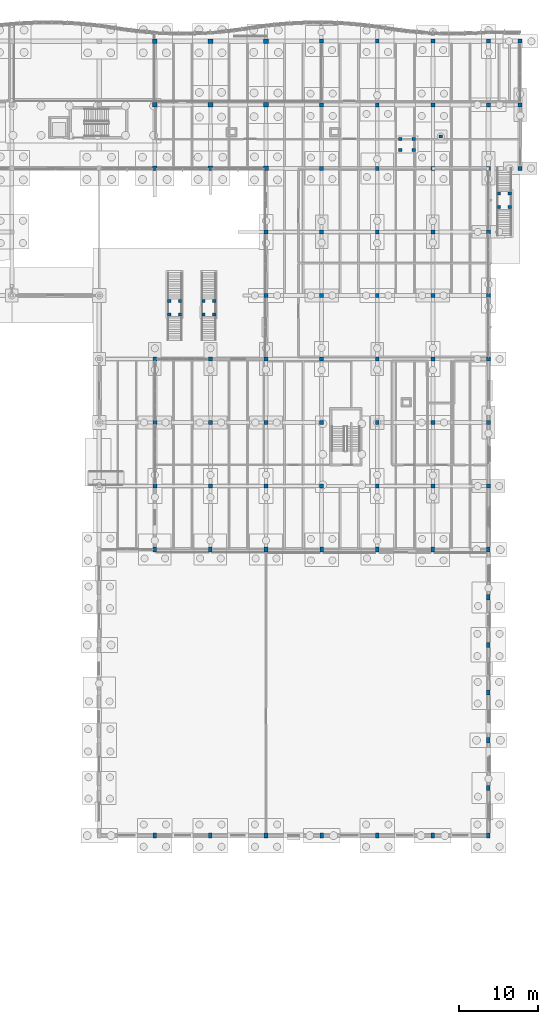
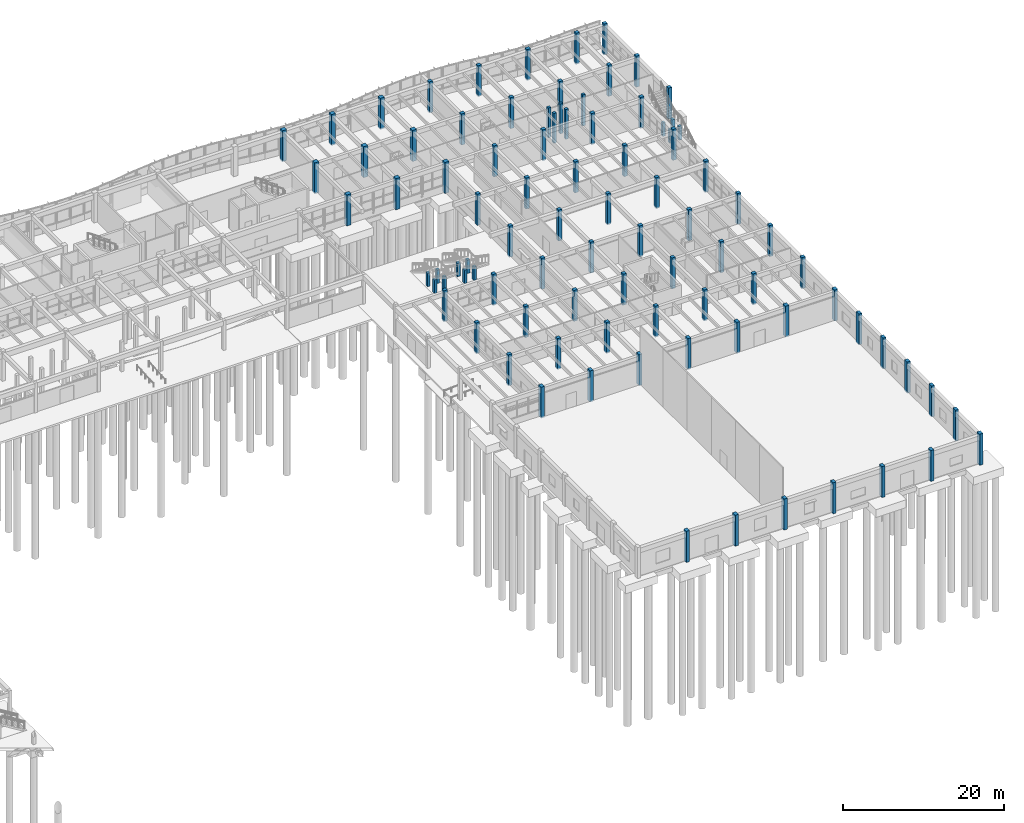
# One storey, part 12 of 99: 91 columns.
"""IFC4 building model written with IfcOpenShell, lengths in metres."""

from ifc_helpers import new_model, si_unit, direction, frame, origin, origin_2d, place, context, subcontext, project, spatial, rectangle, extrude, material, material_profile, profile_set, type_object, element, save


model = new_model("IFC4")

# Units and contexts
model_context = context("Model", 3, precision=1e-05, world=origin(), true_north=direction((0.0, 1.0)))
body_context = subcontext(model_context, "Body", "Model", "MODEL_VIEW")
ifc_project = project(units=[si_unit("LENGTHUNIT", "METRE"), si_unit("AREAUNIT", "SQUARE_METRE"), si_unit("VOLUMEUNIT", "CUBIC_METRE"), si_unit("PLANEANGLEUNIT", "RADIAN"), si_unit("MASSUNIT", "GRAM", prefix="KILO")], contexts=[model_context])

# Site, building, storey
site_placement = place(None, origin())
site = spatial("IfcSite", under=ifc_project, at=site_placement, CompositionType="ELEMENT")
building_placement = place(site_placement, origin())
building = spatial("IfcBuilding", under=site, at=building_placement, Name="Tonlespit Floodbar School", CompositionType="ELEMENT")
storey_placement = place(building_placement, origin())
storey = spatial("IfcBuildingStorey", under=building, at=storey_placement, Name="L00", CompositionType="ELEMENT", Elevation=0.0)

# Columns
ifc_material = material(Name="Concrete C40/50", Category="concrete")
ifc_material_profile_1 = material_profile(ifc_material, rectangle(XDim=0.39990234375, YDim=0.39990234375, at=origin_2d()), Name="RC 400x400")
ifc_profile_set_1 = profile_set([ifc_material_profile_1], Name="Concrete C40/50")
column_type_1 = type_object("IfcColumnType", Name="Column_RC_400x400", PredefinedType="COLUMN", material=ifc_profile_set_1)
column_placement = place(storey_placement, frame((170.0, 108.0, -0.199951171875), z_axis=(0.0, 0.0, 1.0), x_axis=(1.0, 0.0, 0.0)))
element("IfcColumn", 1, at=column_placement, inside=storey, type_object=column_type_1, Name="L00 courtyard amphitheatre column STL2-TAB", PredefinedType="COLUMN", context=body_context, shape_type="SweptSolid", body=[
    extrude(rectangle(XDim=0.39990234375, YDim=0.39990234375, at=origin_2d()), origin(), (0.0, 0.0, 1.0), 4.699951171875),
])
for number, where, z_axis, x_axis, name in (
    (2, (135.820068359375, 87.280029296875, 0.0), (0.0, 0.0, 1.0), (1.0, 0.0, 0.0), "L00 stair ST-H1 landing column 1"),
    (3, (135.820068359375, 85.580078125, 0.0), (0.0, 0.0, 1.0), (1.0, 0.0, 0.0), "L00 stair ST-H1 landing column 2"),
    (4, (137.179931640625, 85.580078125, 0.0), (0.0, 0.0, 1.0), (1.0, 0.0, 0.0), "L00 stair ST-H1 landing column 3"),
    (5, (137.179931640625, 87.280029296875, 0.0), (0.0, 0.0, 1.0), (1.0, 0.0, 0.0), "L00 stair ST-H1 landing column 4"),
    (6, (140.1201171875, 87.280029296875, 0.0), (0.0, 0.0, 1.0), (1.0, 0.0, 0.0), "L00 stair ST-H2 landing column 1"),
    (7, (140.1201171875, 85.580078125, 0.0), (0.0, 0.0, 1.0), (1.0, 0.0, 0.0), "L00 stair ST-H2 landing column 2"),
    (8, (141.47998046875, 85.580078125, 0.0), (0.0, 0.0, 1.0), (1.0, 0.0, 0.0), "L00 stair ST-H2 landing column 3"),
    (9, (141.47998046875, 87.280029296875, 0.0), (0.0, 0.0, 1.0), (1.0, 0.0, 0.0), "L00 stair ST-H2 landing column 4"),
    (10, (178.679931640625, 99.1201171875, 0.0), (0.0, 0.0, 1.0), (1.0, 0.0, 0.0), "L00 stair ST-L1 landing column 1"),
    (11, (178.679931640625, 100.820068359375, 0.0), (0.0, 0.0, 1.0), (1.0, 0.0, 0.0), "L00 stair ST-L1 landing column 2"),
    (12, (177.320068359375, 100.820068359375, 0.0), (0.0, 0.0, 1.0), (1.0, 0.0, 0.0), "L00 stair ST-L1 landing column 3"),
    (13, (177.320068359375, 99.1201171875, 0.0), (0.0, 0.0, 1.0), (1.0, 0.0, 0.0), "L00 stair ST-L1 landing column 4"),
):
    element("IfcColumn", number, at=place(storey_placement, frame(where, z_axis=z_axis, x_axis=x_axis)), inside=storey, type_object=column_type_1, Name=name, PredefinedType="COLUMN", context=body_context, shape_type="SweptSolid", body=[
        extrude(rectangle(XDim=0.39990234375, YDim=0.39990234375, at=origin_2d()), origin(), (0.0, 0.0, 1.0), 2.050048828125),
    ])
for number, where, z_axis, x_axis, name in (
    (14, (166.60009765625, 107.679931640625, -0.0048828125), (0.0, 0.0, 1.0), (1.0, 0.0, 0.0), "L00 stair ST-L2 landing column 1"),
    (15, (164.89990234375, 107.679931640625, -0.0048828125), (0.0, 0.0, 1.0), (1.0, 0.0, 0.0), "L00 stair ST-L2 landing column 2"),
    (16, (164.89990234375, 106.320068359375, -0.0048828125), (0.0, 0.0, 1.0), (1.0, 0.0, 0.0), "L00 stair ST-L2 landing column 3"),
    (17, (166.60009765625, 106.320068359375, -0.0048828125), (0.0, 0.0, 1.0), (1.0, 0.0, 0.0), "L00 stair ST-L2 landing column 4"),
):
    element("IfcColumn", number, at=place(storey_placement, frame(where, z_axis=z_axis, x_axis=x_axis)), inside=storey, type_object=column_type_1, Name=name, PredefinedType="COLUMN", context=body_context, shape_type="SweptSolid", body=[
        extrude(rectangle(XDim=0.39990234375, YDim=0.39990234375, at=origin_2d()), origin(), (0.0, 0.0, 1.0), 4.5048828125),
    ])
ifc_material_profile_2 = material_profile(ifc_material, rectangle(XDim=0.449951171875, YDim=0.64990234375, at=origin_2d()), Name="RC 450x650")
ifc_profile_set_2 = profile_set([ifc_material_profile_2], Name="Concrete C40/50")
column_type_2 = type_object("IfcColumnType", Name="Column_RC_450x650", PredefinedType="COLUMN", material=ifc_profile_set_2)
for number, where, z_axis, x_axis, name in (
    (18, (134.0, 20.0, -0.199951171875), (0.0, 0.0, 1.0), (1.0, 0.0, 0.0), "L00 column U16/V03"),
    (19, (134.0, 56.0, -0.199951171875), (0.0, 0.0, 1.0), (1.0, 0.0, 0.0), "L00 column U16/V09"),
    (20, (141.0, 20.0, -0.199951171875), (0.0, 0.0, 1.0), (1.0, 0.0, 0.0), "L00 column U17/V03"),
    (21, (141.0, 56.0, -0.199951171875), (0.0, 0.0, 1.0), (1.0, 0.0, 0.0), "L00 column U17/V09"),
    (22, (148.0, 20.0, -0.199951171875), (0.0, 0.0, 1.0), (1.0, 0.0, 0.0), "L00 column U18/V03"),
    (23, (148.0, 56.0, -0.199951171875), (0.0, 0.0, 1.0), (1.0, 0.0, 0.0), "L00 column U18/V09"),
    (24, (155.0, 20.0, -0.199951171875), (0.0, 0.0, 1.0), (1.0, 0.0, 0.0), "L00 column U19/V03"),
    (25, (155.0, 56.0, -0.199951171875), (0.0, 0.0, 1.0), (1.0, 0.0, 0.0), "L00 column U19/V09"),
    (26, (162.0, 20.0, -0.199951171875), (0.0, 0.0, 1.0), (1.0, 0.0, 0.0), "L00 column U20/V03"),
    (27, (162.0, 56.0, -0.199951171875), (0.0, 0.0, 1.0), (1.0, 0.0, 0.0), "L00 column U20/V09"),
    (28, (169.0, 20.0, -0.199951171875), (0.0, 0.0, 1.0), (1.0, 0.0, 0.0), "L00 column U21/V03"),
    (29, (169.0, 56.0, -0.199951171875), (0.0, 0.0, 1.0), (1.0, 0.0, 0.0), "L00 column U21/V09"),
    (30, (176.0, 20.0, -0.199951171875), (0.0, 0.0, 1.0), (1.0, 0.0, 0.0), "L00 column U22/V03"),
    (31, (176.0, 26.0, -0.199951171875), (0.0, 0.0, 1.0), (1.0, 0.0, 0.0), "L00 column U22/V04"),
    (32, (176.0, 32.0, -0.199951171875), (0.0, 0.0, 1.0), (1.0, 0.0, 0.0), "L00 column U22/V05"),
    (33, (176.0, 38.0, -0.199951171875), (0.0, 0.0, 1.0), (1.0, 0.0, 0.0), "L00 column U22/V06"),
    (34, (176.0, 44.0, -0.199951171875), (0.0, 0.0, 1.0), (1.0, 0.0, 0.0), "L00 column U22/V07"),
    (35, (176.0, 50.0, -0.199951171875), (0.0, 0.0, 1.0), (1.0, 0.0, 0.0), "L00 column U22/V08"),
    (36, (176.0, 56.0, -0.199951171875), (0.0, 0.0, 1.0), (1.0, 0.0, 0.0), "L00 column U22/V09"),
):
    element("IfcColumn", number, at=place(storey_placement, frame(where, z_axis=z_axis, x_axis=x_axis)), inside=storey, type_object=column_type_2, Name=name, PredefinedType="COLUMN", context=body_context, shape_type="SweptSolid", body=[
        extrude(rectangle(XDim=0.449951171875, YDim=0.64990234375, at=origin_2d()), origin(), (0.0, 0.0, 1.0), 4.699951171875),
    ])
ifc_material_profile_3 = material_profile(ifc_material, rectangle(XDim=0.5, YDim=0.5, at=origin_2d()), Name="RC 500x500")
ifc_profile_set_3 = profile_set([ifc_material_profile_3], Name="Concrete C40/50")
column_type_3 = type_object("IfcColumnType", Name="Column_RC_500x500", PredefinedType="COLUMN", material=ifc_profile_set_3)
for number, where, z_axis, x_axis, name in (
    (37, (134.0, 64.0, -0.199951171875), (0.0, 0.0, 1.0), (1.0, 0.0, 0.0), "L00 column U16/V10"),
    (38, (134.0, 72.0, -0.199951171875), (0.0, 0.0, 1.0), (1.0, 0.0, 0.0), "L00 column U16/V11"),
    (39, (134.0, 80.0, -0.199951171875), (0.0, 0.0, 1.0), (1.0, 0.0, 0.0), "L00 column U16/V12"),
    (40, (141.0, 64.0, -0.199951171875), (0.0, 0.0, 1.0), (1.0, 0.0, 0.0), "L00 column U17/V10"),
    (41, (141.0, 72.0, -0.199951171875), (0.0, 0.0, 1.0), (1.0, 0.0, 0.0), "L00 column U17/V11"),
    (42, (141.0, 80.0, -0.199951171875), (0.0, 0.0, 1.0), (1.0, 0.0, 0.0), "L00 column U17/V12"),
    (43, (148.0, 64.0, -0.199951171875), (0.0, 0.0, 1.0), (1.0, 0.0, 0.0), "L00 column U18/V10"),
    (44, (148.0, 72.0, -0.199951171875), (0.0, 0.0, 1.0), (1.0, 0.0, 0.0), "L00 column U18/V11"),
    (45, (148.0, 80.0, -0.199951171875), (0.0, 0.0, 1.0), (1.0, 0.0, 0.0), "L00 column U18/V12"),
    (46, (148.0, 88.0, -0.199951171875), (0.0, 0.0, 1.0), (1.0, 0.0, 0.0), "L00 column U18/V13"),
    (47, (148.0, 96.0, -0.199951171875), (0.0, 0.0, 1.0), (1.0, 0.0, 0.0), "L00 column U18/V14"),
    (48, (155.0, 64.0, -0.199951171875), (0.0, 0.0, 1.0), (1.0, 0.0, 0.0), "L00 column U19/V10"),
    (49, (155.0, 72.0, -0.199951171875), (0.0, 0.0, 1.0), (1.0, 0.0, 0.0), "L00 column U19/V11"),
    (50, (155.0, 80.0, -0.199951171875), (0.0, 0.0, 1.0), (1.0, 0.0, 0.0), "L00 column U19/V12"),
    (51, (155.0, 88.0, -0.199951171875), (0.0, 0.0, 1.0), (1.0, 0.0, 0.0), "L00 column U19/V13"),
    (52, (155.0, 96.0, -0.199951171875), (0.0, 0.0, 1.0), (1.0, 0.0, 0.0), "L00 column U19/V14"),
    (53, (155.0, 104.0, -0.199951171875), (0.0, 0.0, 1.0), (1.0, 0.0, 0.0), "L00 column U19/V15"),
    (54, (155.0, 112.0, -0.199951171875), (0.0, 0.0, 1.0), (1.0, 0.0, 0.0), "L00 column U19/V16"),
    (55, (155.0, 120.0, -0.199951171875), (0.0, 0.0, 1.0), (1.0, 0.0, 0.0), "L00 column U19/V17"),
    (56, (162.0, 64.0, -0.199951171875), (0.0, 0.0, 1.0), (1.0, 0.0, 0.0), "L00 column U20/V10"),
    (57, (162.0, 72.0, -0.199951171875), (0.0, 0.0, 1.0), (1.0, 0.0, 0.0), "L00 column U20/V11"),
    (58, (162.0, 80.0, -0.199951171875), (0.0, 0.0, 1.0), (1.0, 0.0, 0.0), "L00 column U20/V12"),
    (59, (162.0, 88.0, -0.199951171875), (0.0, 0.0, 1.0), (1.0, 0.0, 0.0), "L00 column U20/V13"),
    (60, (162.0, 96.0, -0.199951171875), (0.0, 0.0, 1.0), (1.0, 0.0, 0.0), "L00 column U20/V14"),
    (61, (162.0, 104.0, -0.199951171875), (0.0, 0.0, 1.0), (1.0, 0.0, 0.0), "L00 column U20/V15"),
    (62, (162.0, 112.0, -0.199951171875), (0.0, 0.0, 1.0), (1.0, 0.0, 0.0), "L00 column U20/V16"),
    (63, (162.0, 120.0, -0.199951171875), (0.0, 0.0, 1.0), (1.0, 0.0, 0.0), "L00 column U20/V17"),
    (64, (169.0, 64.0, -0.199951171875), (0.0, 0.0, 1.0), (1.0, 0.0, 0.0), "L00 column U21/V10"),
    (65, (169.0, 72.0, -0.199951171875), (0.0, 0.0, 1.0), (1.0, 0.0, 0.0), "L00 column U21/V11"),
    (66, (169.0, 80.0, -0.199951171875), (0.0, 0.0, 1.0), (1.0, 0.0, 0.0), "L00 column U21/V12"),
    (67, (169.0, 88.0, -0.199951171875), (0.0, 0.0, 1.0), (1.0, 0.0, 0.0), "L00 column U21/V13"),
    (68, (169.0, 96.0, -0.199951171875), (0.0, 0.0, 1.0), (1.0, 0.0, 0.0), "L00 column U21/V14"),
    (69, (169.0, 104.0, -0.199951171875), (0.0, 0.0, 1.0), (1.0, 0.0, 0.0), "L00 column U21/V15"),
    (70, (169.0, 112.0, -0.199951171875), (0.0, 0.0, 1.0), (1.0, 0.0, 0.0), "L00 column U21/V16"),
    (71, (169.0, 120.0, -0.199951171875), (0.0, 0.0, 1.0), (1.0, 0.0, 0.0), "L00 column U21/V17"),
    (72, (176.0, 64.0, -0.199951171875), (0.0, 0.0, 1.0), (1.0, 0.0, 0.0), "L00 column U22/V10"),
    (73, (176.0, 72.0, -0.199951171875), (0.0, 0.0, 1.0), (1.0, 0.0, 0.0), "L00 column U22/V11"),
    (74, (176.0, 80.0, -0.199951171875), (0.0, 0.0, 1.0), (1.0, 0.0, 0.0), "L00 column U22/V12"),
    (75, (176.0, 88.0, -0.199951171875), (0.0, 0.0, 1.0), (1.0, 0.0, 0.0), "L00 column U22/V13"),
    (76, (176.0, 96.0, -0.199951171875), (0.0, 0.0, 1.0), (1.0, 0.0, 0.0), "L00 column U22/V14"),
    (77, (176.0, 104.0, -0.199951171875), (0.0, 0.0, 1.0), (1.0, 0.0, 0.0), "L00 column U22/V15"),
    (78, (176.0, 112.0, -0.199951171875), (0.0, 0.0, 1.0), (1.0, 0.0, 0.0), "L00 column U22/V16"),
    (79, (176.0, 120.0, -0.199951171875), (0.0, 0.0, 1.0), (1.0, 0.0, 0.0), "L00 column U22/V17"),
    (80, (180.0, 104.0, -0.199951171875), (0.0, 0.0, 1.0), (1.0, 0.0, 0.0), "L00 column U23/V15"),
    (81, (180.0, 112.0, -0.199951171875), (0.0, 0.0, 1.0), (1.0, 0.0, 0.0), "L00 column U23/V16"),
    (82, (180.0, 120.0, -0.199951171875), (0.0, 0.0, 1.0), (1.0, 0.0, 0.0), "L00 column U23/V17"),
):
    element("IfcColumn", number, at=place(storey_placement, frame(where, z_axis=z_axis, x_axis=x_axis)), inside=storey, type_object=column_type_3, Name=name, PredefinedType="COLUMN", context=body_context, shape_type="SweptSolid", body=[
        extrude(rectangle(XDim=0.5, YDim=0.5, at=origin_2d()), origin(), (0.0, 0.0, 1.0), 4.699951171875),
    ])
ifc_material_profile_4 = material_profile(ifc_material, rectangle(XDim=0.60009765625, YDim=0.60009765625, at=origin_2d()), Name="RC 600x600")
ifc_profile_set_4 = profile_set([ifc_material_profile_4], Name="Concrete C40/50")
column_type_4 = type_object("IfcColumnType", Name="Column_RC_600x600", PredefinedType="COLUMN", material=ifc_profile_set_4)
for number, where, z_axis, x_axis, name in (
    (83, (134.0, 104.0, -0.199951171875), (0.0, 0.0, 1.0), (1.0, 0.0, 0.0), "L00 column U16/V15"),
    (84, (134.0, 112.0, -0.199951171875), (0.0, 0.0, 1.0), (1.0, 0.0, 0.0), "L00 column U16/V16"),
    (85, (134.0, 120.0, -0.199951171875), (0.0, 0.0, 1.0), (1.0, 0.0, 0.0), "L00 column U16/V17"),
    (86, (141.0, 104.0, -0.199951171875), (0.0, 0.0, 1.0), (1.0, 0.0, 0.0), "L00 column U17/V15"),
    (87, (141.0, 112.0, -0.199951171875), (0.0, 0.0, 1.0), (1.0, 0.0, 0.0), "L00 column U17/V16"),
    (88, (141.0, 120.0, -0.199951171875), (0.0, 0.0, 1.0), (1.0, 0.0, 0.0), "L00 column U17/V17"),
    (89, (148.0, 104.0, -0.199951171875), (0.0, 0.0, 1.0), (1.0, 0.0, 0.0), "L00 column U18/V15"),
    (90, (148.0, 112.0, -0.199951171875), (0.0, 0.0, 1.0), (1.0, 0.0, 0.0), "L00 column U18/V16"),
    (91, (148.0, 120.0, -0.199951171875), (0.0, 0.0, 1.0), (1.0, 0.0, 0.0), "L00 column U18/V17"),
):
    element("IfcColumn", number, at=place(storey_placement, frame(where, z_axis=z_axis, x_axis=x_axis)), inside=storey, type_object=column_type_4, Name=name, PredefinedType="COLUMN", context=body_context, shape_type="SweptSolid", body=[
        extrude(rectangle(XDim=0.60009765625, YDim=0.60009765625, at=origin_2d()), origin(), (0.0, 0.0, 1.0), 4.699951171875),
    ])

save(model, "model.ifc")
